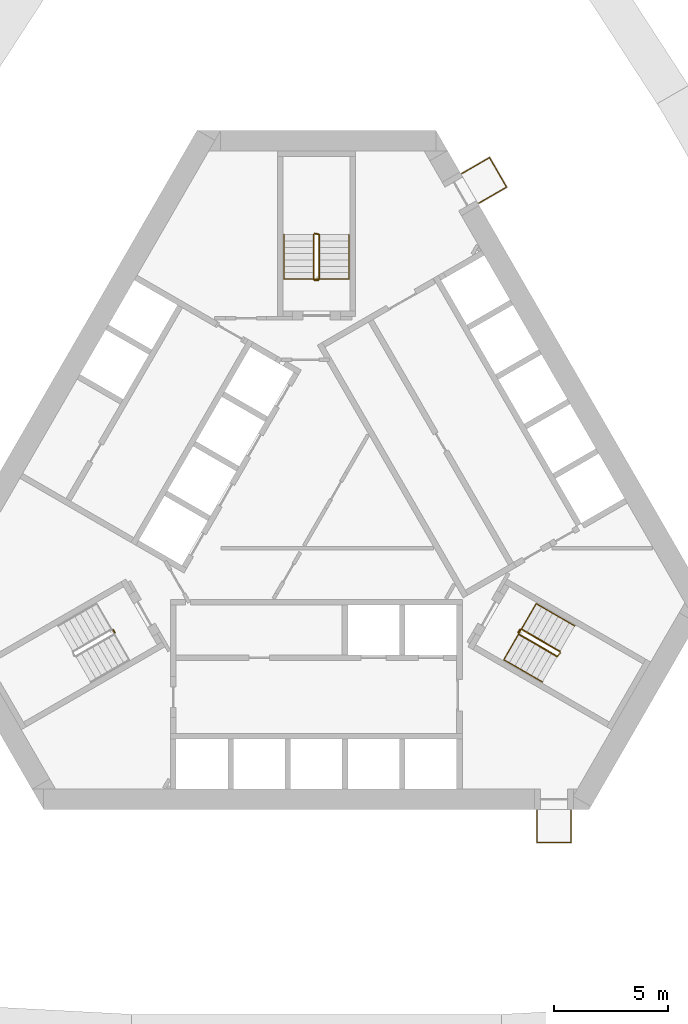
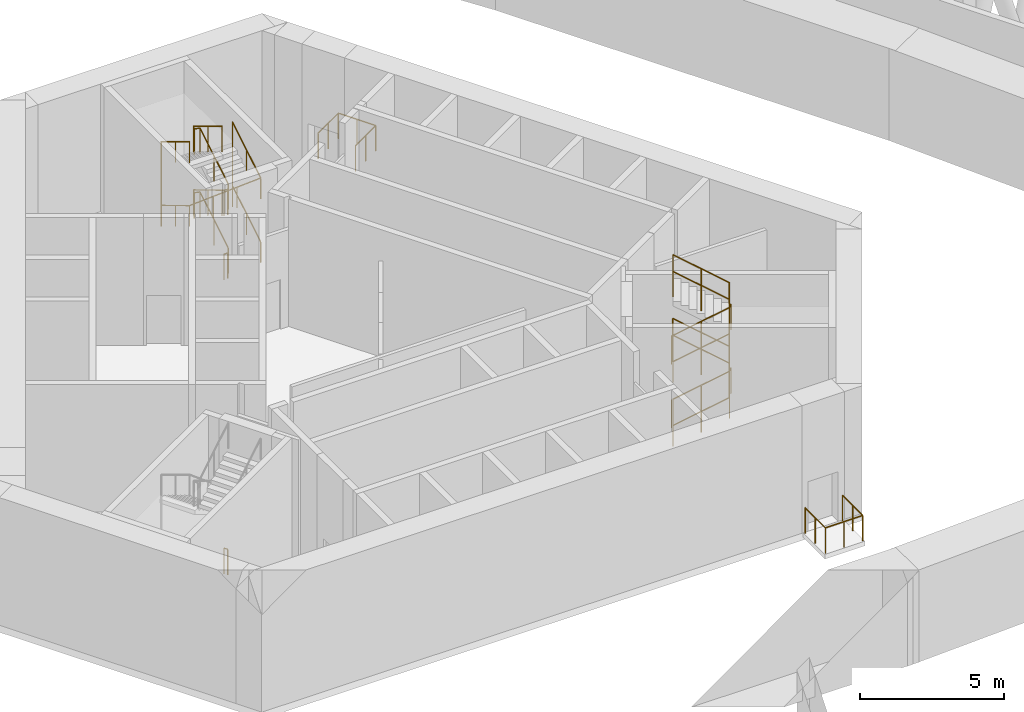
# One storey, part 34 of 37: 15 railings.
"""IFC4 building model written with IfcOpenShell, lengths in metres."""

from ifc_helpers import new_model, si_unit, direction, frame, origin, origin_2d, place, context, subcontext, project, spatial, circle, extrude, material, type_object, element, save


model = new_model("IFC4")

# Units and contexts
model_context = context("Model", 3, precision=1e-05, world=origin(), true_north=direction((0.0, 1.0)))
body_context = subcontext(model_context, "Body", "Model", "MODEL_VIEW")
ifc_project = project(units=[si_unit("LENGTHUNIT", "METRE"), si_unit("AREAUNIT", "SQUARE_METRE"), si_unit("VOLUMEUNIT", "CUBIC_METRE"), si_unit("PLANEANGLEUNIT", "RADIAN"), si_unit("MASSUNIT", "GRAM", prefix="KILO")], contexts=[model_context])

# Site, building, storey
site_placement = place(None, origin())
site = spatial("IfcSite", under=ifc_project, at=site_placement, CompositionType="ELEMENT")
building_placement = place(site_placement, origin())
building = spatial("IfcBuilding", under=site, at=building_placement, Name="Mestral Congress Tower", CompositionType="ELEMENT")
storey_placement = place(building_placement, frame((0.0, 0.0, 16.199951171875)))
storey = spatial("IfcBuildingStorey", under=building, at=storey_placement, Name="L03", CompositionType="ELEMENT", Elevation=16.199951171875)

# Railings
ifc_material_1 = material(Name="Steel balustrade", Category="steel")
railing_type_1 = type_object("IfcRailingType", Name="Podium door landing guard 1100", PredefinedType="GUARDRAIL", material=ifc_material_1)
railing_1_placement = place(storey_placement, frame((9.7119140625, -13.050048828125, 0.0)))
element("IfcRailing", 1, at=railing_1_placement, inside=storey, type_object=railing_type_1, Name="Door landing guard", PredefinedType="GUARDRAIL", context=body_context, shape_type="SweptSolid", body=[
    extrude(circle(Radius=0.02392578125, at=origin_2d()), frame((0.0, 0.0, 1.076171875), z_axis=(0.0, -1.0, 0.0), x_axis=(1.0, 0.0, 0.0)), (0.0, 0.0, 1.0), 1.39990234375),
    extrude(circle(Radius=0.02392578125, at=origin_2d()), frame((0.0, -1.39990234375, 1.076171875), z_axis=(1.0, 0.0, 0.0), x_axis=(0.0, 1.0, 0.0)), (0.0, 0.0, 1.0), 1.5),
    extrude(circle(Radius=0.02392578125, at=origin_2d()), frame((1.5, -1.39990234375, 1.076171875), z_axis=(0.0, 1.0, 0.0), x_axis=(-1.0, 0.0, 0.0)), (0.0, 0.0, 1.0), 1.39990234375),
    extrude(circle(Radius=0.02099609375, at=origin_2d()), origin(), (0.0, 0.0, 1.0), 1.052001953125),
    extrude(circle(Radius=0.02099609375, at=origin_2d()), frame((0.0, -0.699951171875, 0.0)), (0.0, 0.0, 1.0), 1.052001953125),
    extrude(circle(Radius=0.02099609375, at=origin_2d()), frame((0.0, -1.39990234375, 0.0)), (0.0, 0.0, 1.0), 1.052001953125),
    extrude(circle(Radius=0.02099609375, at=origin_2d()), frame((0.75, -1.39990234375, 0.0)), (0.0, 0.0, 1.0), 1.052001953125),
    extrude(circle(Radius=0.02099609375, at=origin_2d()), frame((1.5, -1.39990234375, 0.0)), (0.0, 0.0, 1.0), 1.052001953125),
    extrude(circle(Radius=0.02099609375, at=origin_2d()), frame((1.5, -0.699951171875, 0.0)), (0.0, 0.0, 1.0), 1.052001953125),
    extrude(circle(Radius=0.02099609375, at=origin_2d()), frame((1.5, 0.0, 0.0)), (0.0, 0.0, 1.0), 1.052001953125),
])
railing_2_placement = place(storey_placement, frame((7.158935546875, 13.700439453125, 0.0)))
element("IfcRailing", 2, at=railing_2_placement, inside=storey, type_object=railing_type_1, Name="Door landing guard", PredefinedType="GUARDRAIL", context=body_context, shape_type="SweptSolid", body=[
    extrude(circle(Radius=0.02392578125, at=origin_2d()), frame((0.0, 0.0, 1.076171875), z_axis=(0.866034573852, 0.49998411664, 0.0), x_axis=(-0.49998411664, 0.866034573852, 0.0)), (0.0, 0.0, 1.0), 1.39990234375),
    extrude(circle(Radius=0.02392578125, at=origin_2d()), frame((1.21240234375, 0.699951171875, 1.076171875), z_axis=(-0.499990139034, 0.866031096941, 0.0), x_axis=(-0.866031096941, -0.499990139034, 0.0)), (0.0, 0.0, 1.0), 1.5),
    extrude(circle(Radius=0.02392578125, at=origin_2d()), frame((0.46240234375, 1.9990234375, 1.076171875), z_axis=(-0.866034573852, -0.49998411664, 0.0), x_axis=(0.49998411664, -0.866034573852, 0.0)), (0.0, 0.0, 1.0), 1.39990234375),
    extrude(circle(Radius=0.02099609375, at=origin_2d()), origin(), (0.0, 0.0, 1.0), 1.052001953125),
    extrude(circle(Radius=0.02099609375, at=origin_2d()), frame((0.606201171875, 0.35009765625, 0.0)), (0.0, 0.0, 1.0), 1.052001953125),
    extrude(circle(Radius=0.02099609375, at=origin_2d()), frame((1.21240234375, 0.699951171875, 0.0)), (0.0, 0.0, 1.0), 1.052001953125),
    extrude(circle(Radius=0.02099609375, at=origin_2d()), frame((0.83740234375, 1.349609375, 0.0)), (0.0, 0.0, 1.0), 1.052001953125),
    extrude(circle(Radius=0.02099609375, at=origin_2d()), frame((0.46240234375, 1.9990234375, 0.0)), (0.0, 0.0, 1.0), 1.052001953125),
    extrude(circle(Radius=0.02099609375, at=origin_2d()), frame((-0.143798828125, 1.64892578125, 0.0)), (0.0, 0.0, 1.0), 1.052001953125),
    extrude(circle(Radius=0.02099609375, at=origin_2d()), frame((-0.75, 1.299072265625, 0.0)), (0.0, 0.0, 1.0), 1.052001953125),
])
railing_type_2 = type_object("IfcRailingType", Name="Stair guard 1100", PredefinedType="GUARDRAIL", material=ifc_material_1)
railing_3_placement = place(storey_placement, frame((8.90087890625, -5.283203125, 0.168701171875)))
element("IfcRailing", 3, at=railing_3_placement, inside=storey, type_object=railing_type_2, Name="L03 ST1 stair guard 1", PredefinedType="GUARDRAIL", context=body_context, shape_type="SweptSolid", body=[
    extrude(circle(Radius=0.02392578125, at=origin_2d()), frame((0.0, 0.0, 1.076171875), z_axis=(0.741730552229, -0.428204578836, 0.516213741153), x_axis=(0.499970440388, 0.866042469362, 0.0)), (0.0, 0.0, 1.0), 2.28857421875),
    extrude(circle(Radius=0.02392578125, at=origin_2d()), frame((1.697509765625, -0.97998046875, 2.25732421875), z_axis=(0.694552208452, 0.71944230466, 0.0), x_axis=(-0.71944230466, 0.694552208452, 0.0)), (0.0, 0.0, 1.0), 0.2060546875),
    extrude(circle(Radius=0.02099609375, at=origin_2d()), origin(), (0.0, 0.0, 1.0), 1.052001953125),
    extrude(circle(Radius=0.02099609375, at=origin_2d()), frame((0.8486328125, -0.489990234375, 0.5908203125)), (0.0, 0.0, 1.0), 1.052001953125),
    extrude(circle(Radius=0.02099609375, at=origin_2d()), frame((1.697509765625, -0.97998046875, 1.181396484375)), (0.0, 0.0, 1.0), 1.052001953125),
    extrude(circle(Radius=0.02099609375, at=origin_2d()), frame((1.840576171875, -0.831787109375, 1.181396484375)), (0.0, 0.0, 1.0), 1.052001953125),
])
railing_4_placement = place(storey_placement, frame((10.723388671875, -6.046630859375, 1.518798828125)))
element("IfcRailing", 4, at=railing_4_placement, inside=storey, type_object=railing_type_2, Name="L03 ST1 stair guard 2", PredefinedType="GUARDRAIL", context=body_context, shape_type="SweptSolid", body=[
    extrude(circle(Radius=0.02392578125, at=origin_2d()), frame((0.0, 0.0, 1.076171875), z_axis=(-0.741771397394, 0.428228158944, 0.516135484049), x_axis=(-0.499970440388, -0.866042469362, 0.0)), (0.0, 0.0, 1.0), 2.28857421875),
    extrude(circle(Radius=0.02392578125, at=origin_2d()), frame((-1.697509765625, 0.97998046875, 2.25732421875), z_axis=(-0.965948051503, -0.258736085224, 0.0), x_axis=(0.258736085224, -0.965948051503, 0.0)), (0.0, 0.0, 1.0), 0.07080078125),
    extrude(circle(Radius=0.02392578125, at=origin_2d()), frame((-1.765869140625, 0.961669921875, 2.25732421875), z_axis=(-0.499816412211, -0.866131372301, 0.0), x_axis=(0.866131372301, -0.499816412211, 0.0)), (0.0, 0.0, 1.0), 0.14990234375),
    extrude(circle(Radius=0.02099609375, at=origin_2d()), origin(), (0.0, 0.0, 1.0), 1.052001953125),
    extrude(circle(Radius=0.02099609375, at=origin_2d()), frame((-0.8486328125, 0.489990234375, 0.590576171875)), (0.0, 0.0, 1.0), 1.052001953125),
    extrude(circle(Radius=0.02099609375, at=origin_2d()), frame((-1.697509765625, 0.97998046875, 1.18115234375)), (0.0, 0.0, 1.0), 1.052001953125),
    extrude(circle(Radius=0.02099609375, at=origin_2d()), frame((-1.765869140625, 0.961669921875, 1.18115234375)), (0.0, 0.0, 1.0), 1.052001953125),
    extrude(circle(Radius=0.02099609375, at=origin_2d()), frame((-1.8408203125, 0.831787109375, 1.18115234375)), (0.0, 0.0, 1.0), 1.052001953125),
])
railing_5_placement = place(storey_placement, frame((8.90087890625, -5.283203125, 2.868896484375)))
element("IfcRailing", 5, at=railing_5_placement, inside=storey, type_object=railing_type_2, Name="L03 ST1 stair guard 3", PredefinedType="GUARDRAIL", context=body_context, shape_type="SweptSolid", body=[
    extrude(circle(Radius=0.02392578125, at=origin_2d()), frame((0.0, 0.0, 1.076171875), z_axis=(0.741771397394, -0.428228158944, 0.516135484049), x_axis=(0.499970440388, 0.866042469362, 0.0)), (0.0, 0.0, 1.0), 2.28857421875),
    extrude(circle(Radius=0.02392578125, at=origin_2d()), frame((1.697509765625, -0.97998046875, 2.25732421875), z_axis=(0.694552208452, 0.71944230466, 0.0), x_axis=(-0.71944230466, 0.694552208452, 0.0)), (0.0, 0.0, 1.0), 0.2060546875),
    extrude(circle(Radius=0.02099609375, at=origin_2d()), origin(), (0.0, 0.0, 1.0), 1.052001953125),
    extrude(circle(Radius=0.02099609375, at=origin_2d()), frame((0.8486328125, -0.489990234375, 0.590576171875)), (0.0, 0.0, 1.0), 1.052001953125),
    extrude(circle(Radius=0.02099609375, at=origin_2d()), frame((1.697509765625, -0.97998046875, 1.18115234375)), (0.0, 0.0, 1.0), 1.052001953125),
    extrude(circle(Radius=0.02099609375, at=origin_2d()), frame((1.840576171875, -0.831787109375, 1.18115234375)), (0.0, 0.0, 1.0), 1.052001953125),
])
railing_6_placement = place(storey_placement, frame((10.723388671875, -6.046630859375, 4.21875)))
element("IfcRailing", 6, at=railing_6_placement, inside=storey, type_object=railing_type_2, Name="L03 ST1 stair guard 4", PredefinedType="GUARDRAIL", context=body_context, shape_type="SweptSolid", body=[
    extrude(circle(Radius=0.02392578125, at=origin_2d()), frame((0.0, 0.0, 1.076171875), z_axis=(-0.741730552229, 0.428204578836, 0.516213741153), x_axis=(-0.499970440388, -0.866042469362, 0.0)), (0.0, 0.0, 1.0), 2.28857421875),
    extrude(circle(Radius=0.02099609375, at=origin_2d()), origin(), (0.0, 0.0, 1.0), 1.052001953125),
    extrude(circle(Radius=0.02099609375, at=origin_2d()), frame((-0.8486328125, 0.489990234375, 0.5908203125)), (0.0, 0.0, 1.0), 1.052001953125),
    extrude(circle(Radius=0.02099609375, at=origin_2d()), frame((-1.697509765625, 0.97998046875, 1.181396484375)), (0.0, 0.0, 1.0), 1.052001953125),
])
railing_7_placement = place(storey_placement, frame((8.882568359375, -5.21484375, 0.0)))
element("IfcRailing", 7, at=railing_7_placement, inside=storey, type_object=railing_type_2, Name="L03 ST1 stair guard 5", PredefinedType="GUARDRAIL", context=body_context, shape_type="SweptSolid", body=[
    extrude(circle(Radius=0.02392578125, at=origin_2d()), frame((0.0, 0.0, 1.076171875), z_axis=(0.499816412211, 0.866131372301, 0.0), x_axis=(-0.866131372301, 0.499816412211, 0.0)), (0.0, 0.0, 1.0), 0.14990234375),
    extrude(circle(Radius=0.02099609375, at=origin_2d()), origin(), (0.0, 0.0, 1.0), 1.052001953125),
    extrude(circle(Radius=0.02099609375, at=origin_2d()), frame((0.074951171875, 0.1298828125, 0.0)), (0.0, 0.0, 1.0), 1.052001953125),
])
railing_8_placement = place(storey_placement, frame((0.125, 10.35009765625, 0.168701171875)))
element("IfcRailing", 8, at=railing_8_placement, inside=storey, type_object=railing_type_2, Name="L03 ST2 stair guard 1", PredefinedType="GUARDRAIL", context=body_context, shape_type="SweptSolid", body=[
    extrude(circle(Radius=0.02392578125, at=origin_2d()), frame((0.0, 0.0, 1.076171875), z_axis=(0.0, 0.856446297458, 0.516236127728), x_axis=(-1.0, 0.0, 0.0)), (0.0, 0.0, 1.0), 2.28857421875),
    extrude(circle(Radius=0.02392578125, at=origin_2d()), frame((0.0, 1.9599609375, 2.25732421875), z_axis=(-0.970072785993, 0.242814311512, 0.0), x_axis=(-0.242814311512, -0.970072785993, 0.0)), (0.0, 0.0, 1.0), 0.2060546875),
    extrude(circle(Radius=0.02099609375, at=origin_2d()), origin(), (0.0, 0.0, 1.0), 1.052001953125),
    extrude(circle(Radius=0.02099609375, at=origin_2d()), frame((0.0, 0.97998046875, 0.5908203125)), (0.0, 0.0, 1.0), 1.052001953125),
    extrude(circle(Radius=0.02099609375, at=origin_2d()), frame((0.0, 1.9599609375, 1.181396484375)), (0.0, 0.0, 1.0), 1.052001953125),
    extrude(circle(Radius=0.02099609375, at=origin_2d()), frame((-0.199951171875, 2.010009765625, 1.181396484375)), (0.0, 0.0, 1.0), 1.052001953125),
])
railing_9_placement = place(storey_placement, frame((-0.125, 12.31005859375, 1.518798828125)))
element("IfcRailing", 9, at=railing_9_placement, inside=storey, type_object=railing_type_2, Name="L03 ST2 stair guard 2", PredefinedType="GUARDRAIL", context=body_context, shape_type="SweptSolid", body=[
    extrude(circle(Radius=0.02392578125, at=origin_2d()), frame((0.0, 0.0, 1.076171875), z_axis=(0.0, -0.856493463811, 0.516157869696), x_axis=(1.0, 0.0, 0.0)), (0.0, 0.0, 1.0), 2.288330078125),
    extrude(circle(Radius=0.02392578125, at=origin_2d()), frame((0.0, -1.9599609375, 2.25732421875), z_axis=(0.707106781187, -0.707106781187, 0.0), x_axis=(0.707106781187, 0.707106781187, 0.0)), (0.0, 0.0, 1.0), 0.07080078125),
    extrude(circle(Radius=0.02392578125, at=origin_2d()), frame((0.050048828125, -2.010009765625, 2.25732421875), z_axis=(1.0, 0.0, 0.0), x_axis=(0.0, 1.0, 0.0)), (0.0, 0.0, 1.0), 0.14990234375),
    extrude(circle(Radius=0.02099609375, at=origin_2d()), origin(), (0.0, 0.0, 1.0), 1.052001953125),
    extrude(circle(Radius=0.02099609375, at=origin_2d()), frame((0.0, -0.97998046875, 0.590576171875)), (0.0, 0.0, 1.0), 1.052001953125),
    extrude(circle(Radius=0.02099609375, at=origin_2d()), frame((0.0, -1.9599609375, 1.18115234375)), (0.0, 0.0, 1.0), 1.052001953125),
    extrude(circle(Radius=0.02099609375, at=origin_2d()), frame((0.050048828125, -2.010009765625, 1.18115234375)), (0.0, 0.0, 1.0), 1.052001953125),
    extrude(circle(Radius=0.02099609375, at=origin_2d()), frame((0.199951171875, -2.010009765625, 1.18115234375)), (0.0, 0.0, 1.0), 1.052001953125),
])
railing_10_placement = place(storey_placement, frame((0.125, 10.35009765625, 2.868896484375)))
element("IfcRailing", 10, at=railing_10_placement, inside=storey, type_object=railing_type_2, Name="L03 ST2 stair guard 3", PredefinedType="GUARDRAIL", context=body_context, shape_type="SweptSolid", body=[
    extrude(circle(Radius=0.02392578125, at=origin_2d()), frame((0.0, 0.0, 1.076171875), z_axis=(0.0, 0.856493463811, 0.516157869696), x_axis=(-1.0, 0.0, 0.0)), (0.0, 0.0, 1.0), 2.288330078125),
    extrude(circle(Radius=0.02392578125, at=origin_2d()), frame((0.0, 1.9599609375, 2.25732421875), z_axis=(-0.970072785993, 0.242814311512, 0.0), x_axis=(-0.242814311512, -0.970072785993, 0.0)), (0.0, 0.0, 1.0), 0.2060546875),
    extrude(circle(Radius=0.02099609375, at=origin_2d()), origin(), (0.0, 0.0, 1.0), 1.052001953125),
    extrude(circle(Radius=0.02099609375, at=origin_2d()), frame((0.0, 0.97998046875, 0.590576171875)), (0.0, 0.0, 1.0), 1.052001953125),
    extrude(circle(Radius=0.02099609375, at=origin_2d()), frame((0.0, 1.9599609375, 1.18115234375)), (0.0, 0.0, 1.0), 1.052001953125),
    extrude(circle(Radius=0.02099609375, at=origin_2d()), frame((-0.199951171875, 2.010009765625, 1.18115234375)), (0.0, 0.0, 1.0), 1.052001953125),
])
railing_11_placement = place(storey_placement, frame((-0.125, 12.31005859375, 4.21875)))
element("IfcRailing", 11, at=railing_11_placement, inside=storey, type_object=railing_type_2, Name="L03 ST2 stair guard 4", PredefinedType="GUARDRAIL", context=body_context, shape_type="SweptSolid", body=[
    extrude(circle(Radius=0.02392578125, at=origin_2d()), frame((0.0, 0.0, 1.076171875), z_axis=(0.0, -0.856446297458, 0.516236127728), x_axis=(1.0, 0.0, 0.0)), (0.0, 0.0, 1.0), 2.28857421875),
    extrude(circle(Radius=0.02099609375, at=origin_2d()), origin(), (0.0, 0.0, 1.0), 1.052001953125),
    extrude(circle(Radius=0.02099609375, at=origin_2d()), frame((0.0, -0.97998046875, 0.5908203125)), (0.0, 0.0, 1.0), 1.052001953125),
    extrude(circle(Radius=0.02099609375, at=origin_2d()), frame((0.0, -1.9599609375, 1.181396484375)), (0.0, 0.0, 1.0), 1.052001953125),
])
railing_12_placement = place(storey_placement, frame((0.074951171875, 10.300048828125, 0.0)))
element("IfcRailing", 12, at=railing_12_placement, inside=storey, type_object=railing_type_2, Name="L03 ST2 stair guard 5", PredefinedType="GUARDRAIL", context=body_context, shape_type="SweptSolid", body=[
    extrude(circle(Radius=0.02392578125, at=origin_2d()), frame((0.0, 0.0, 1.076171875), z_axis=(-1.0, 0.0, 0.0), x_axis=(0.0, -1.0, 0.0)), (0.0, 0.0, 1.0), 0.14990234375),
    extrude(circle(Radius=0.02099609375, at=origin_2d()), origin(), (0.0, 0.0, 1.0), 1.052001953125),
    extrude(circle(Radius=0.02099609375, at=origin_2d()), frame((-0.14990234375, 0.0, 0.0)), (0.0, 0.0, 1.0), 1.052001953125),
])
railing_13_placement = place(storey_placement, frame((-8.95751953125, -5.0849609375, 0.0)))
element("IfcRailing", 13, at=railing_13_placement, inside=storey, type_object=railing_type_2, Name="L03 ST3 stair guard 5", PredefinedType="GUARDRAIL", context=body_context, shape_type="SweptSolid", body=[
    extrude(circle(Radius=0.02392578125, at=origin_2d()), frame((0.0, 0.0, 1.076171875), z_axis=(0.499816412211, -0.866131372301, 0.0), x_axis=(0.866131372301, 0.499816412211, 0.0)), (0.0, 0.0, 1.0), 0.14990234375),
    extrude(circle(Radius=0.02099609375, at=origin_2d()), origin(), (0.0, 0.0, 1.0), 1.052001953125),
    extrude(circle(Radius=0.02099609375, at=origin_2d()), frame((0.074951171875, -0.1298828125, 0.0)), (0.0, 0.0, 1.0), 1.052001953125),
])
ifc_material_2 = material(Name="Steel handrail", Category="steel")
railing_type_3 = type_object("IfcRailingType", Name="Stair handrail 900", PredefinedType="HANDRAIL", material=ifc_material_2)
railing_14_placement = place(storey_placement, frame((8.2509765625, -6.4091796875, 0.168701171875)))
element("IfcRailing", 14, at=railing_14_placement, inside=storey, type_object=railing_type_3, Name="L03 ST1 stair handrail 1", PredefinedType="HANDRAIL", context=body_context, shape_type="SweptSolid", body=[
    extrude(circle(Radius=0.02392578125, at=origin_2d()), frame((0.0, 0.0, 0.8759765625), z_axis=(0.741682559053, -0.428238462606, 0.516254589076), x_axis=(0.500024377727, 0.866011328839, 0.0)), (0.0, 0.0, 1.0), 2.288330078125),
    extrude(circle(Radius=0.02392578125, at=origin_2d()), frame((1.697265625, -0.97998046875, 2.05712890625), z_axis=(0.0, 0.0, 1.0), x_axis=(1.0, 0.0, 0.0)), (0.0, 0.0, 1.0), 2.699951171875),
    extrude(circle(Radius=0.02392578125, at=origin_2d()), frame((1.697265625, -0.97998046875, 4.75732421875), z_axis=(-0.74172340804, 0.428262048313, -0.516176330279), x_axis=(-0.500024377727, -0.866011328839, 0.0)), (0.0, 0.0, 1.0), 2.288330078125),
    extrude(circle(Radius=0.02392578125, at=origin_2d()), frame((0.0, 0.0, 3.576171875), z_axis=(0.499058937937, 0.86454521291, -0.059175597165), x_axis=(-0.866062911188, 0.499935029643, 0.0)), (0.0, 0.0, 1.0), 2.85498046875),
    extrude(circle(Radius=0.02392578125, at=origin_2d()), frame((1.4248046875, 2.46826171875, 3.4072265625), z_axis=(0.741771397394, -0.428228158944, -0.516135484049), x_axis=(0.499970440388, 0.866042469362, 0.0)), (0.0, 0.0, 1.0), 2.28857421875),
    extrude(circle(Radius=0.02392578125, at=origin_2d()), frame((3.122314453125, 1.48828125, 2.22607421875), z_axis=(0.0, 0.0, 1.0), x_axis=(1.0, 0.0, 0.0)), (0.0, 0.0, 1.0), 2.699951171875),
    extrude(circle(Radius=0.02392578125, at=origin_2d()), frame((3.122314453125, 1.48828125, 4.92578125), z_axis=(-0.741730552229, 0.428204578836, 0.516213741153), x_axis=(-0.499970440388, -0.866042469362, 0.0)), (0.0, 0.0, 1.0), 2.28857421875),
    extrude(circle(Radius=0.02099609375, at=origin_2d()), origin(), (0.0, 0.0, 1.0), 0.851806640625),
    extrude(circle(Radius=0.02099609375, at=origin_2d()), frame((0.8486328125, -0.489990234375, 0.5908203125)), (0.0, 0.0, 1.0), 0.851806640625),
    extrude(circle(Radius=0.02099609375, at=origin_2d()), frame((1.697265625, -0.97998046875, 1.181396484375)), (0.0, 0.0, 1.0), 0.851806640625),
    extrude(circle(Radius=0.02099609375, at=origin_2d()), frame((1.697265625, -0.97998046875, 2.081298828125)), (0.0, 0.0, 1.0), 0.851806640625),
    extrude(circle(Radius=0.02099609375, at=origin_2d()), frame((1.697265625, -0.97998046875, 2.9814453125)), (0.0, 0.0, 1.0), 0.851806640625),
    extrude(circle(Radius=0.02099609375, at=origin_2d()), frame((1.697265625, -0.97998046875, 3.88134765625)), (0.0, 0.0, 1.0), 0.851806640625),
    extrude(circle(Radius=0.02099609375, at=origin_2d()), frame((0.8486328125, -0.489990234375, 3.290771484375)), (0.0, 0.0, 1.0), 0.851806640625),
    extrude(circle(Radius=0.02099609375, at=origin_2d()), frame((0.0, 0.0, 2.7001953125)), (0.0, 0.0, 1.0), 0.851806640625),
    extrude(circle(Radius=0.02099609375, at=origin_2d()), frame((0.474853515625, 0.82275390625, 2.643798828125)), (0.0, 0.0, 1.0), 0.851806640625),
    extrude(circle(Radius=0.02099609375, at=origin_2d()), frame((0.949951171875, 1.6455078125, 2.587646484375)), (0.0, 0.0, 1.0), 0.851806640625),
    extrude(circle(Radius=0.02099609375, at=origin_2d()), frame((1.4248046875, 2.46826171875, 2.53125)), (0.0, 0.0, 1.0), 0.851806640625),
    extrude(circle(Radius=0.02099609375, at=origin_2d()), frame((2.2734375, 1.978271484375, 1.940673828125)), (0.0, 0.0, 1.0), 0.851806640625),
    extrude(circle(Radius=0.02099609375, at=origin_2d()), frame((3.122314453125, 1.48828125, 1.35009765625)), (0.0, 0.0, 1.0), 0.851806640625),
    extrude(circle(Radius=0.02099609375, at=origin_2d()), frame((3.122314453125, 1.48828125, 2.25)), (0.0, 0.0, 1.0), 0.851806640625),
    extrude(circle(Radius=0.02099609375, at=origin_2d()), frame((3.122314453125, 1.48828125, 3.150146484375)), (0.0, 0.0, 1.0), 0.851806640625),
    extrude(circle(Radius=0.02099609375, at=origin_2d()), frame((3.122314453125, 1.48828125, 4.050048828125)), (0.0, 0.0, 1.0), 0.851806640625),
    extrude(circle(Radius=0.02099609375, at=origin_2d()), frame((2.2734375, 1.978271484375, 4.640625)), (0.0, 0.0, 1.0), 0.851806640625),
    extrude(circle(Radius=0.02099609375, at=origin_2d()), frame((1.4248046875, 2.46826171875, 5.2314453125)), (0.0, 0.0, 1.0), 0.851806640625),
])
railing_15_placement = place(storey_placement, frame((1.425048828125, 10.35009765625, 0.168701171875)))
element("IfcRailing", 15, at=railing_15_placement, inside=storey, type_object=railing_type_3, Name="L03 ST2 stair handrail 1", PredefinedType="HANDRAIL", context=body_context, shape_type="SweptSolid", body=[
    extrude(circle(Radius=0.02392578125, at=origin_2d()), frame((0.0, 0.0, 0.8759765625), z_axis=(0.0, 0.856446297458, 0.516236127728), x_axis=(-1.0, 0.0, 0.0)), (0.0, 0.0, 1.0), 2.28857421875),
    extrude(circle(Radius=0.02392578125, at=origin_2d()), frame((0.0, 1.9599609375, 2.05712890625), z_axis=(0.0, 0.0, 1.0), x_axis=(1.0, 0.0, 0.0)), (0.0, 0.0, 1.0), 2.699951171875),
    extrude(circle(Radius=0.02392578125, at=origin_2d()), frame((0.0, 1.9599609375, 4.75732421875), z_axis=(0.0, -0.856493463811, -0.516157869696), x_axis=(1.0, 0.0, 0.0)), (0.0, 0.0, 1.0), 2.288330078125),
    extrude(circle(Radius=0.02392578125, at=origin_2d()), frame((0.0, 0.0, 3.576171875), z_axis=(-0.998247733543, 0.0, -0.059173156725), x_axis=(0.0, -1.0, 0.0)), (0.0, 0.0, 1.0), 2.85498046875),
    extrude(circle(Radius=0.02392578125, at=origin_2d()), frame((-2.85009765625, 0.0, 3.4072265625), z_axis=(0.0, 0.856493463811, -0.516157869696), x_axis=(-1.0, 0.0, 0.0)), (0.0, 0.0, 1.0), 2.288330078125),
    extrude(circle(Radius=0.02392578125, at=origin_2d()), frame((-2.85009765625, 1.9599609375, 2.22607421875), z_axis=(0.0, 0.0, 1.0), x_axis=(1.0, 0.0, 0.0)), (0.0, 0.0, 1.0), 2.699951171875),
    extrude(circle(Radius=0.02392578125, at=origin_2d()), frame((-2.85009765625, 1.9599609375, 4.92578125), z_axis=(0.0, -0.856446297458, 0.516236127728), x_axis=(1.0, 0.0, 0.0)), (0.0, 0.0, 1.0), 2.28857421875),
    extrude(circle(Radius=0.02099609375, at=origin_2d()), origin(), (0.0, 0.0, 1.0), 0.851806640625),
    extrude(circle(Radius=0.02099609375, at=origin_2d()), frame((0.0, 0.97998046875, 0.5908203125)), (0.0, 0.0, 1.0), 0.851806640625),
    extrude(circle(Radius=0.02099609375, at=origin_2d()), frame((0.0, 1.9599609375, 1.181396484375)), (0.0, 0.0, 1.0), 0.851806640625),
    extrude(circle(Radius=0.02099609375, at=origin_2d()), frame((0.0, 1.9599609375, 2.081298828125)), (0.0, 0.0, 1.0), 0.851806640625),
    extrude(circle(Radius=0.02099609375, at=origin_2d()), frame((0.0, 1.9599609375, 2.9814453125)), (0.0, 0.0, 1.0), 0.851806640625),
    extrude(circle(Radius=0.02099609375, at=origin_2d()), frame((0.0, 1.9599609375, 3.88134765625)), (0.0, 0.0, 1.0), 0.851806640625),
    extrude(circle(Radius=0.02099609375, at=origin_2d()), frame((0.0, 0.97998046875, 3.290771484375)), (0.0, 0.0, 1.0), 0.851806640625),
    extrude(circle(Radius=0.02099609375, at=origin_2d()), frame((0.0, 0.0, 2.7001953125)), (0.0, 0.0, 1.0), 0.851806640625),
    extrude(circle(Radius=0.02099609375, at=origin_2d()), frame((-0.949951171875, 0.0, 2.643798828125)), (0.0, 0.0, 1.0), 0.851806640625),
    extrude(circle(Radius=0.02099609375, at=origin_2d()), frame((-1.900146484375, 0.0, 2.587646484375)), (0.0, 0.0, 1.0), 0.851806640625),
    extrude(circle(Radius=0.02099609375, at=origin_2d()), frame((-2.85009765625, 0.0, 2.53125)), (0.0, 0.0, 1.0), 0.851806640625),
    extrude(circle(Radius=0.02099609375, at=origin_2d()), frame((-2.85009765625, 0.97998046875, 1.940673828125)), (0.0, 0.0, 1.0), 0.851806640625),
    extrude(circle(Radius=0.02099609375, at=origin_2d()), frame((-2.85009765625, 1.9599609375, 1.35009765625)), (0.0, 0.0, 1.0), 0.851806640625),
    extrude(circle(Radius=0.02099609375, at=origin_2d()), frame((-2.85009765625, 1.9599609375, 2.25)), (0.0, 0.0, 1.0), 0.851806640625),
    extrude(circle(Radius=0.02099609375, at=origin_2d()), frame((-2.85009765625, 1.9599609375, 3.150146484375)), (0.0, 0.0, 1.0), 0.851806640625),
    extrude(circle(Radius=0.02099609375, at=origin_2d()), frame((-2.85009765625, 1.9599609375, 4.050048828125)), (0.0, 0.0, 1.0), 0.851806640625),
    extrude(circle(Radius=0.02099609375, at=origin_2d()), frame((-2.85009765625, 0.97998046875, 4.640625)), (0.0, 0.0, 1.0), 0.851806640625),
    extrude(circle(Radius=0.02099609375, at=origin_2d()), frame((-2.85009765625, 0.0, 5.2314453125)), (0.0, 0.0, 1.0), 0.851806640625),
])

save(model, "model.ifc")
